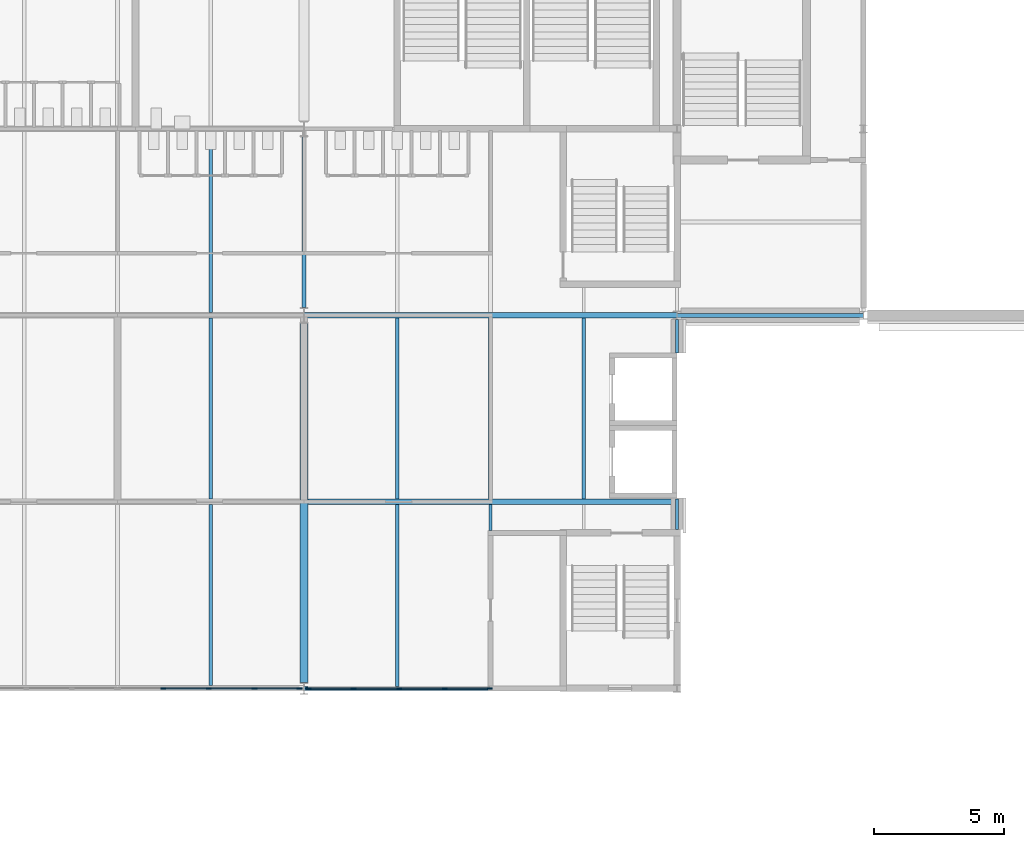
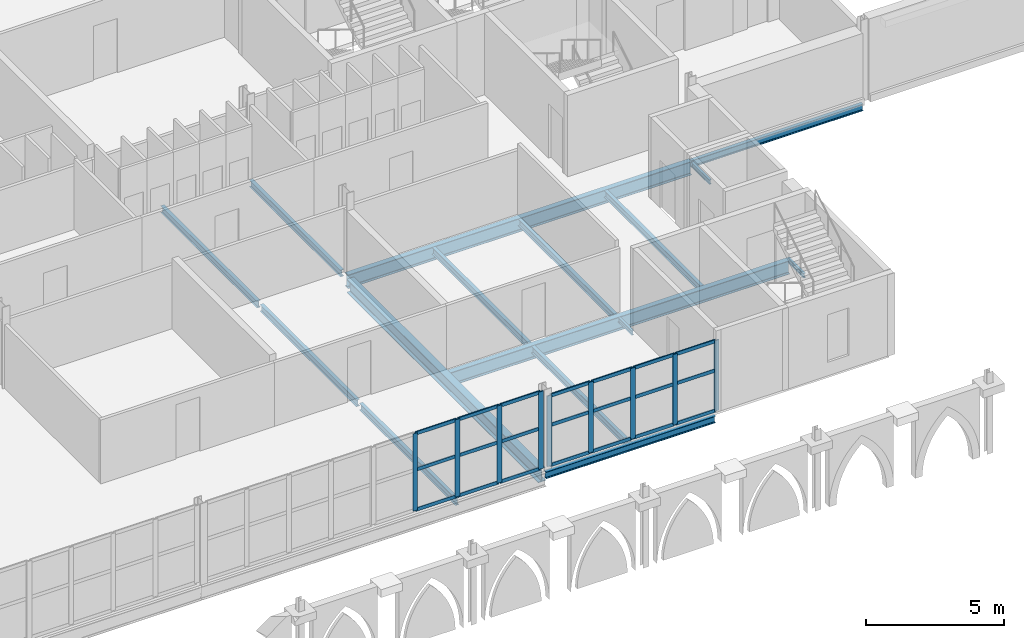
# One storey, part 31 of 90: 30 members, 16 beams, 2 elements without a shape of their own.
"""IFC4 building model written with IfcOpenShell, lengths in metres."""

from ifc_helpers import new_model, si_unit, direction, frame, origin, origin_2d, place, context, subcontext, project, spatial, rectangle, i_section, extrude, material, material_profile, profile_set, type_object, element, aggregate, save


model = new_model("IFC4")

# Units and contexts
model_context = context("Model", 3, precision=1e-05, world=origin(), true_north=direction((0.0, 1.0)))
body_context = subcontext(model_context, "Body", "Model", "MODEL_VIEW")
ifc_project = project(units=[si_unit("LENGTHUNIT", "METRE"), si_unit("AREAUNIT", "SQUARE_METRE"), si_unit("VOLUMEUNIT", "CUBIC_METRE"), si_unit("PLANEANGLEUNIT", "RADIAN"), si_unit("MASSUNIT", "GRAM", prefix="KILO")], contexts=[model_context])

# Site, building, storey
site_placement = place(None, origin())
site = spatial("IfcSite", under=ifc_project, at=site_placement, CompositionType="ELEMENT")
building_placement = place(site_placement, origin())
building = spatial("IfcBuilding", under=site, at=building_placement, Name="Kupolbacken Congress Centre", CompositionType="ELEMENT")
storey_placement = place(building_placement, frame((0.0, 0.0, 3.60009765625)))
storey = spatial("IfcBuildingStorey", under=building, at=storey_placement, Name="L01", CompositionType="ELEMENT", Elevation=3.60009765625)

# Beams
ifc_material_1 = material(Name="Steel S355", Category="steel")
ifc_material_profile_1 = material_profile(ifc_material_1, i_section(OverallWidth=0.10009765625, OverallDepth=0.199951171875, WebThickness=0.005615234375, FlangeThickness=0.008544921875, FilletRadius=0.011962890625, at=origin_2d()), Name="IPE 200")
ifc_profile_set_1 = profile_set([ifc_material_profile_1], Name="Steel S355")
beam_type_1 = type_object("IfcBeamType", Name="B01 beam IPE 200", PredefinedType="BEAM", material=ifc_profile_set_1)
beam_1_placement = place(storey_placement, frame((79.199951171875, 34.925048828125, -0.280029296875), z_axis=(0.0, 1.0, 0.0), x_axis=(-1.0, 0.0, 0.0)))
element("IfcBeam", 1, at=beam_1_placement, inside=storey, type_object=beam_type_1, Name="S/floor/F/L01/G012", PredefinedType="BEAM", context=body_context, shape_type="SweptSolid", body=[
    extrude(i_section(OverallWidth=0.10009765625, OverallDepth=0.199951171875, WebThickness=0.005615234375, FlangeThickness=0.008544921875, FilletRadius=0.011962890625, at=origin_2d()), origin(), (0.0, 0.0, 1.0), 1.184814453125),
])
beam_2_placement = place(storey_placement, frame((79.199951171875, 41.75, -0.280029296875), z_axis=(0.0, 1.0, 0.0), x_axis=(-1.0, 0.0, 0.0)))
element("IfcBeam", 2, at=beam_2_placement, inside=storey, type_object=beam_type_1, Name="S/floor/F/L01/G013", PredefinedType="BEAM", context=body_context, shape_type="SweptSolid", body=[
    extrude(i_section(OverallWidth=0.10009765625, OverallDepth=0.199951171875, WebThickness=0.005615234375, FlangeThickness=0.008544921875, FilletRadius=0.011962890625, at=origin_2d()), origin(), (0.0, 0.0, 1.0), 1.300048828125),
])
beam_3_placement = place(storey_placement, frame((72.0, 34.89990234375, -0.280029296875), z_axis=(0.0, 1.0, 0.0), x_axis=(-1.0, 0.0, 0.0)))
element("IfcBeam", 3, at=beam_3_placement, inside=storey, type_object=beam_type_1, Name="S/floor/F/L01/S078", PredefinedType="BEAM", context=body_context, shape_type="SweptSolid", body=[
    extrude(i_section(OverallWidth=0.10009765625, OverallDepth=0.199951171875, WebThickness=0.005615234375, FlangeThickness=0.008544921875, FilletRadius=0.011962890625, at=origin_2d()), origin(), (0.0, 0.0, 1.0), 0.989990234375),
])
ifc_material_2 = material(Name="Steel S355", Category="steel")
ifc_material_profile_2 = material_profile(ifc_material_2, i_section(OverallWidth=0.14990234375, OverallDepth=0.300048828125, WebThickness=0.007080078125, FlangeThickness=0.0107421875, FilletRadius=0.014892578125, at=origin_2d()), Name="IPE 300")
ifc_profile_set_2 = profile_set([ifc_material_profile_2], Name="Steel S355")
beam_type_2 = type_object("IfcBeamType", Name="B04 beam IPE 300", PredefinedType="BEAM", material=ifc_profile_set_2)
beam_4_placement = place(storey_placement, frame((64.800048828125, 43.5, -0.330078125), z_axis=(0.0, 1.0, 0.0), x_axis=(-1.0, 0.0, 0.0)))
element("IfcBeam", 4, at=beam_4_placement, inside=storey, type_object=beam_type_2, Name="S/floor/F/L01/G011", PredefinedType="BEAM", context=body_context, shape_type="SweptSolid", body=[
    extrude(i_section(OverallWidth=0.14990234375, OverallDepth=0.300048828125, WebThickness=0.007080078125, FlangeThickness=0.0107421875, FilletRadius=0.014892578125, at=origin_2d()), origin(), (0.0, 0.0, 1.0), 6.60009765625),
])
beam_5_placement = place(storey_placement, frame((64.806884765625, 28.800048828125, -0.330078125), z_axis=(1.0, 0.0, 0.0), x_axis=(0.0, 1.0, 0.0)))
element("IfcBeam", 5, at=beam_5_placement, inside=storey, type_object=beam_type_2, Name="S/floor/F/L01/R019", PredefinedType="BEAM", context=body_context, shape_type="SweptSolid", body=[
    extrude(i_section(OverallWidth=0.14990234375, OverallDepth=0.300048828125, WebThickness=0.007080078125, FlangeThickness=0.0107421875, FilletRadius=0.014892578125, at=origin_2d()), origin(), (0.0, 0.0, 1.0), 7.093017578125),
])
for number, where, z_axis, x_axis, name in (
    (6, (61.199951171875, 28.909912109375, -0.330078125), (0.0, 1.0, 0.0), (-1.0, 0.0, 0.0), "S/floor/F/L01/S072"),
    (7, (61.199951171875, 36.110107421875, -0.330078125), (0.0, 1.0, 0.0), (-1.0, 0.0, 0.0), "S/floor/F/L01/S073"),
    (8, (61.199951171875, 43.31005859375, -0.330078125), (0.0, 1.0, 0.0), (-1.0, 0.0, 0.0), "S/floor/F/L01/S074"),
):
    element("IfcBeam", number, at=place(storey_placement, frame(where, z_axis=z_axis, x_axis=x_axis)), inside=storey, type_object=beam_type_2, Name=name, PredefinedType="BEAM", context=body_context, shape_type="SweptSolid", body=[
        extrude(i_section(OverallWidth=0.14990234375, OverallDepth=0.300048828125, WebThickness=0.007080078125, FlangeThickness=0.0107421875, FilletRadius=0.014892578125, at=origin_2d()), origin(), (0.0, 0.0, 1.0), 6.97998046875),
    ])
beam_6_placement = place(storey_placement, frame((68.39990234375, 28.875, -0.330078125), z_axis=(0.0, 1.0, 0.0), x_axis=(-1.0, 0.0, 0.0)))
element("IfcBeam", 9, at=beam_6_placement, inside=storey, type_object=beam_type_2, Name="S/floor/F/L01/S075", PredefinedType="BEAM", context=body_context, shape_type="SweptSolid", body=[
    extrude(i_section(OverallWidth=0.14990234375, OverallDepth=0.300048828125, WebThickness=0.007080078125, FlangeThickness=0.0107421875, FilletRadius=0.014892578125, at=origin_2d()), origin(), (0.0, 0.0, 1.0), 7.014892578125),
])
for number, where, z_axis, x_axis, name in (
    (10, (68.39990234375, 36.110107421875, -0.330078125), (0.0, 1.0, 0.0), (-1.0, 0.0, 0.0), "S/floor/F/L01/S076"),
    (11, (72.0, 36.110107421875, -0.330078125), (0.0, 1.0, 0.0), (-1.0, 0.0, 0.0), "S/floor/F/L01/S079"),
    (12, (75.60009765625, 36.110107421875, -0.330078125), (0.0, 1.0, 0.0), (-1.0, 0.0, 0.0), "S/floor/F/L01/S082"),
):
    element("IfcBeam", number, at=place(storey_placement, frame(where, z_axis=z_axis, x_axis=x_axis)), inside=storey, type_object=beam_type_2, Name=name, PredefinedType="BEAM", context=body_context, shape_type="SweptSolid", body=[
        extrude(i_section(OverallWidth=0.14990234375, OverallDepth=0.300048828125, WebThickness=0.007080078125, FlangeThickness=0.0107421875, FilletRadius=0.014892578125, at=origin_2d()), origin(), (0.0, 0.0, 1.0), 6.97998046875),
    ])
beam_7_placement = place(storey_placement, frame((79.20556640625, 43.199951171875, -0.330078125), z_axis=(1.0, 0.0, 0.0), x_axis=(0.0, 1.0, 0.0)))
element("IfcBeam", 13, at=beam_7_placement, inside=storey, type_object=beam_type_2, Name="S/floor/LINK/L01/R010", PredefinedType="BEAM", context=body_context, shape_type="SweptSolid", body=[
    extrude(i_section(OverallWidth=0.14990234375, OverallDepth=0.300048828125, WebThickness=0.007080078125, FlangeThickness=0.0107421875, FilletRadius=0.014892578125, at=origin_2d()), origin(), (0.0, 0.0, 1.0), 7.190185546875),
])
ifc_material_3 = material(Name="Steel S355", Category="steel")
ifc_material_profile_3 = material_profile(ifc_material_3, i_section(OverallWidth=0.219970703125, OverallDepth=0.60009765625, WebThickness=0.011962890625, FlangeThickness=0.01904296875, FilletRadius=0.02392578125, at=origin_2d()), Name="IPE 600")
ifc_profile_set_3 = profile_set([ifc_material_profile_3], Name="Steel S355")
beam_type_3 = type_object("IfcBeamType", Name="B11 beam IPE 600", PredefinedType="BEAM", material=ifc_profile_set_3)
beam_8_placement = place(storey_placement, frame((64.807861328125, 43.199951171875, -0.47998046875), z_axis=(1.0, 0.0, 0.0), x_axis=(0.0, 1.0, 0.0)))
element("IfcBeam", 14, at=beam_8_placement, inside=storey, type_object=beam_type_3, Name="S/floor/F/L01/R024", PredefinedType="BEAM", context=body_context, shape_type="SweptSolid", body=[
    extrude(i_section(OverallWidth=0.219970703125, OverallDepth=0.60009765625, WebThickness=0.011962890625, FlangeThickness=0.01904296875, FilletRadius=0.02392578125, at=origin_2d()), origin(), (0.0, 0.0, 1.0), 14.38671875),
])
beam_9_placement = place(storey_placement, frame((64.949951171875, 36.0, -0.47998046875), z_axis=(1.0, 0.0, 0.0), x_axis=(0.0, 1.0, 0.0)))
element("IfcBeam", 15, at=beam_9_placement, inside=storey, type_object=beam_type_3, Name="S/floor/F/L01/R039", PredefinedType="BEAM", context=body_context, shape_type="SweptSolid", body=[
    extrude(i_section(OverallWidth=0.219970703125, OverallDepth=0.60009765625, WebThickness=0.011962890625, FlangeThickness=0.01904296875, FilletRadius=0.02392578125, at=origin_2d()), origin(), (0.0, 0.0, 1.0), 14.199951171875),
])
ifc_material_4 = material(Name="Steel S355", Category="steel")
ifc_material_profile_4 = material_profile(ifc_material_4, i_section(OverallWidth=0.300048828125, OverallDepth=0.60009765625, WebThickness=0.015380859375, FlangeThickness=0.030029296875, FilletRadius=0.027099609375, at=origin_2d()), Name="HEB 600")
ifc_profile_set_4 = profile_set([ifc_material_profile_4], Name="Steel S355")
beam_type_4 = type_object("IfcBeamType", Name="B15 beam HEB 600", PredefinedType="BEAM", material=ifc_profile_set_4)
beam_10_placement = place(storey_placement, frame((64.800048828125, 29.02490234375, -0.47998046875), z_axis=(0.0, 1.0, 0.0), x_axis=(-1.0, 0.0, 0.0)))
element("IfcBeam", 16, at=beam_10_placement, inside=storey, type_object=beam_type_4, Name="S/floor/F/L01/G010", PredefinedType="BEAM", context=body_context, shape_type="SweptSolid", body=[
    extrude(i_section(OverallWidth=0.300048828125, OverallDepth=0.60009765625, WebThickness=0.015380859375, FlangeThickness=0.030029296875, FilletRadius=0.027099609375, at=origin_2d()), origin(), (0.0, 0.0, 1.0), 13.875),
])

# Curtain wall, members
ifc_material_5 = material(Name="Aluminium mullion-transom frame with glass", Category="aluminium")
curtain_wall_type = type_object("IfcCurtainWallType", Name="CW1 curtain wall 7200x3600", PredefinedType="NOTDEFINED", material=ifc_material_5)
curtain_wall_1_placement = place(storey_placement, origin())
curtain_wall_1 = element("IfcCurtainWall", 17, at=curtain_wall_1_placement, inside=storey, type_object=curtain_wall_type, Name="E/F/S/L01/143", PredefinedType="NOTDEFINED")
ifc_material_6 = material(Name="Aluminium alloy", Category="aluminium")
ifc_material_profile_5 = material_profile(ifc_material_6, rectangle(XDim=0.050048828125, YDim=0.199951171875, at=origin_2d()), Name="50 x 200")
ifc_profile_set_5 = profile_set([ifc_material_profile_5], Name="Aluminium alloy")
member_type_1 = type_object("IfcMemberType", Name="MU2 mullion 50x200", PredefinedType="MULLION", material=ifc_profile_set_5)
member_1_placement = place(storey_placement, frame((59.362548828125, 28.800048828125, 0.0), z_axis=(0.0, 0.0, 1.0), x_axis=(0.0, 1.0, 0.0)))
member_1 = element("IfcMember", 18, at=member_1_placement, type_object=member_type_1, Name="CW1 mullion 2", PredefinedType="MULLION", context=body_context, shape_type="SweptSolid", body=[
    extrude(rectangle(XDim=0.050048828125, YDim=0.199951171875, at=origin_2d()), origin(), (0.0, 0.0, 1.0), 3.419921875),
])
member_2_placement = place(storey_placement, frame((61.125, 28.800048828125, 0.0), z_axis=(0.0, 0.0, 1.0), x_axis=(0.0, 1.0, 0.0)))
member_2 = element("IfcMember", 19, at=member_2_placement, type_object=member_type_1, Name="CW1 mullion 3", PredefinedType="MULLION", context=body_context, shape_type="SweptSolid", body=[
    extrude(rectangle(XDim=0.050048828125, YDim=0.199951171875, at=origin_2d()), origin(), (0.0, 0.0, 1.0), 3.419921875),
])
member_3_placement = place(storey_placement, frame((62.887451171875, 28.800048828125, 0.0), z_axis=(0.0, 0.0, 1.0), x_axis=(0.0, 1.0, 0.0)))
member_3 = element("IfcMember", 20, at=member_3_placement, type_object=member_type_1, Name="CW1 mullion 4", PredefinedType="MULLION", context=body_context, shape_type="SweptSolid", body=[
    extrude(rectangle(XDim=0.050048828125, YDim=0.199951171875, at=origin_2d()), origin(), (0.0, 0.0, 1.0), 3.419921875),
])
member_4_placement = place(storey_placement, frame((64.625, 28.800048828125, 0.0), z_axis=(0.0, 0.0, 1.0), x_axis=(0.0, 1.0, 0.0)))
member_4 = element("IfcMember", 21, at=member_4_placement, type_object=member_type_1, Name="CW1 mullion 5", PredefinedType="MULLION", context=body_context, shape_type="SweptSolid", body=[
    extrude(rectangle(XDim=0.050048828125, YDim=0.199951171875, at=origin_2d()), origin(), (0.0, 0.0, 1.0), 3.419921875),
])

curtain_wall_2_placement = place(storey_placement, origin())
curtain_wall_2 = element("IfcCurtainWall", 22, at=curtain_wall_2_placement, inside=storey, type_object=curtain_wall_type, Name="E/F/S/L01/144", PredefinedType="NOTDEFINED")
member_5_placement = place(storey_placement, frame((64.97509765625, 28.800048828125, 0.0), z_axis=(0.0, 0.0, 1.0), x_axis=(0.0, 1.0, 0.0)))
member_5 = element("IfcMember", 23, at=member_5_placement, type_object=member_type_1, Name="CW1 mullion 1", PredefinedType="MULLION", context=body_context, shape_type="SweptSolid", body=[
    extrude(rectangle(XDim=0.050048828125, YDim=0.199951171875, at=origin_2d()), origin(), (0.0, 0.0, 1.0), 3.119873046875),
])
member_6_placement = place(storey_placement, frame((66.71240234375, 28.800048828125, 0.0), z_axis=(0.0, 0.0, 1.0), x_axis=(0.0, 1.0, 0.0)))
member_6 = element("IfcMember", 24, at=member_6_placement, type_object=member_type_1, Name="CW1 mullion 2", PredefinedType="MULLION", context=body_context, shape_type="SweptSolid", body=[
    extrude(rectangle(XDim=0.050048828125, YDim=0.199951171875, at=origin_2d()), origin(), (0.0, 0.0, 1.0), 3.119873046875),
])
member_7_placement = place(storey_placement, frame((68.47509765625, 28.800048828125, 0.0), z_axis=(0.0, 0.0, 1.0), x_axis=(0.0, 1.0, 0.0)))
member_7 = element("IfcMember", 25, at=member_7_placement, type_object=member_type_1, Name="CW1 mullion 3", PredefinedType="MULLION", context=body_context, shape_type="SweptSolid", body=[
    extrude(rectangle(XDim=0.050048828125, YDim=0.199951171875, at=origin_2d()), origin(), (0.0, 0.0, 1.0), 3.119873046875),
])
member_8_placement = place(storey_placement, frame((70.237548828125, 28.800048828125, 0.0), z_axis=(0.0, 0.0, 1.0), x_axis=(0.0, 1.0, 0.0)))
member_8 = element("IfcMember", 26, at=member_8_placement, type_object=member_type_1, Name="CW1 mullion 4", PredefinedType="MULLION", context=body_context, shape_type="SweptSolid", body=[
    extrude(rectangle(XDim=0.050048828125, YDim=0.199951171875, at=origin_2d()), origin(), (0.0, 0.0, 1.0), 3.119873046875),
])
member_9_placement = place(storey_placement, frame((71.97509765625, 28.800048828125, 0.0), z_axis=(0.0, 0.0, 1.0), x_axis=(0.0, 1.0, 0.0)))
member_9 = element("IfcMember", 27, at=member_9_placement, type_object=member_type_1, Name="CW1 mullion 5", PredefinedType="MULLION", context=body_context, shape_type="SweptSolid", body=[
    extrude(rectangle(XDim=0.050048828125, YDim=0.199951171875, at=origin_2d()), origin(), (0.0, 0.0, 1.0), 3.119873046875),
])

# Member
ifc_material_7 = material(Name="Aluminium alloy", Category="aluminium")
ifc_material_profile_6 = material_profile(ifc_material_7, rectangle(XDim=0.050048828125, YDim=0.14990234375, at=origin_2d()), Name="50 x 150")
ifc_profile_set_6 = profile_set([ifc_material_profile_6], Name="Aluminium alloy")
member_type_2 = type_object("IfcMemberType", Name="TR2 transom 50x150", PredefinedType="MULLION", material=ifc_profile_set_6)
member_10_placement = place(storey_placement, frame((59.387451171875, 28.800048828125, 0.02490234375), z_axis=(1.0, 0.0, 0.0), x_axis=(0.0, 1.0, 0.0)))
member_10 = element("IfcMember", 28, at=member_10_placement, type_object=member_type_2, Name="CW1 transom 2.1", PredefinedType="MULLION", context=body_context, shape_type="SweptSolid", body=[
    extrude(rectangle(XDim=0.050048828125, YDim=0.14990234375, at=origin_2d()), origin(), (0.0, 0.0, 1.0), 1.712646484375),
])

member_11_placement = place(storey_placement, frame((59.387451171875, 28.800048828125, 1.7998046875), z_axis=(1.0, 0.0, 0.0), x_axis=(0.0, 1.0, 0.0)))
member_11 = element("IfcMember", 29, at=member_11_placement, type_object=member_type_2, Name="CW1 transom 2.2", PredefinedType="MULLION", context=body_context, shape_type="SweptSolid", body=[
    extrude(rectangle(XDim=0.050048828125, YDim=0.14990234375, at=origin_2d()), origin(), (0.0, 0.0, 1.0), 1.712646484375),
])

member_12_placement = place(storey_placement, frame((59.387451171875, 28.800048828125, 3.39501953125), z_axis=(1.0, 0.0, 0.0), x_axis=(0.0, 1.0, 0.0)))
member_12 = element("IfcMember", 30, at=member_12_placement, type_object=member_type_2, Name="CW1 transom 2.3", PredefinedType="MULLION", context=body_context, shape_type="SweptSolid", body=[
    extrude(rectangle(XDim=0.050048828125, YDim=0.14990234375, at=origin_2d()), origin(), (0.0, 0.0, 1.0), 1.712646484375),
])

member_13_placement = place(storey_placement, frame((61.14990234375, 28.800048828125, 0.02490234375), z_axis=(1.0, 0.0, 0.0), x_axis=(0.0, 1.0, 0.0)))
member_13 = element("IfcMember", 31, at=member_13_placement, type_object=member_type_2, Name="CW1 transom 3.1", PredefinedType="MULLION", context=body_context, shape_type="SweptSolid", body=[
    extrude(rectangle(XDim=0.050048828125, YDim=0.14990234375, at=origin_2d()), origin(), (0.0, 0.0, 1.0), 1.712646484375),
])

member_14_placement = place(storey_placement, frame((61.14990234375, 28.800048828125, 1.7998046875), z_axis=(1.0, 0.0, 0.0), x_axis=(0.0, 1.0, 0.0)))
member_14 = element("IfcMember", 32, at=member_14_placement, type_object=member_type_2, Name="CW1 transom 3.2", PredefinedType="MULLION", context=body_context, shape_type="SweptSolid", body=[
    extrude(rectangle(XDim=0.050048828125, YDim=0.14990234375, at=origin_2d()), origin(), (0.0, 0.0, 1.0), 1.712646484375),
])

member_15_placement = place(storey_placement, frame((61.14990234375, 28.800048828125, 3.39501953125), z_axis=(1.0, 0.0, 0.0), x_axis=(0.0, 1.0, 0.0)))
member_15 = element("IfcMember", 33, at=member_15_placement, type_object=member_type_2, Name="CW1 transom 3.3", PredefinedType="MULLION", context=body_context, shape_type="SweptSolid", body=[
    extrude(rectangle(XDim=0.050048828125, YDim=0.14990234375, at=origin_2d()), origin(), (0.0, 0.0, 1.0), 1.712646484375),
])

member_16_placement = place(storey_placement, frame((62.91259765625, 28.800048828125, 0.02490234375), z_axis=(1.0, 0.0, 0.0), x_axis=(0.0, 1.0, 0.0)))
member_16 = element("IfcMember", 34, at=member_16_placement, type_object=member_type_2, Name="CW1 transom 4.1", PredefinedType="MULLION", context=body_context, shape_type="SweptSolid", body=[
    extrude(rectangle(XDim=0.050048828125, YDim=0.14990234375, at=origin_2d()), origin(), (0.0, 0.0, 1.0), 1.6875),
])

member_17_placement = place(storey_placement, frame((62.91259765625, 28.800048828125, 1.7998046875), z_axis=(1.0, 0.0, 0.0), x_axis=(0.0, 1.0, 0.0)))
member_17 = element("IfcMember", 35, at=member_17_placement, type_object=member_type_2, Name="CW1 transom 4.2", PredefinedType="MULLION", context=body_context, shape_type="SweptSolid", body=[
    extrude(rectangle(XDim=0.050048828125, YDim=0.14990234375, at=origin_2d()), origin(), (0.0, 0.0, 1.0), 1.6875),
])

member_18_placement = place(storey_placement, frame((62.91259765625, 28.800048828125, 3.39501953125), z_axis=(1.0, 0.0, 0.0), x_axis=(0.0, 1.0, 0.0)))
member_18 = element("IfcMember", 36, at=member_18_placement, type_object=member_type_2, Name="CW1 transom 4.3", PredefinedType="MULLION", context=body_context, shape_type="SweptSolid", body=[
    extrude(rectangle(XDim=0.050048828125, YDim=0.14990234375, at=origin_2d()), origin(), (0.0, 0.0, 1.0), 1.6875),
])

aggregate(curtain_wall_1, [member_1, member_2, member_3, member_4, member_10, member_11, member_12, member_13, member_14, member_15, member_16, member_17, member_18])

member_19_placement = place(storey_placement, frame((65.0, 28.800048828125, 0.02490234375), z_axis=(1.0, 0.0, 0.0), x_axis=(0.0, 1.0, 0.0)))
member_19 = element("IfcMember", 37, at=member_19_placement, type_object=member_type_2, Name="CW1 transom 1.1", PredefinedType="MULLION", context=body_context, shape_type="SweptSolid", body=[
    extrude(rectangle(XDim=0.050048828125, YDim=0.14990234375, at=origin_2d()), origin(), (0.0, 0.0, 1.0), 1.6875),
])

member_20_placement = place(storey_placement, frame((65.0, 28.800048828125, 1.7998046875), z_axis=(1.0, 0.0, 0.0), x_axis=(0.0, 1.0, 0.0)))
member_20 = element("IfcMember", 38, at=member_20_placement, type_object=member_type_2, Name="CW1 transom 1.2", PredefinedType="MULLION", context=body_context, shape_type="SweptSolid", body=[
    extrude(rectangle(XDim=0.050048828125, YDim=0.14990234375, at=origin_2d()), origin(), (0.0, 0.0, 1.0), 1.6875),
])

member_21_placement = place(storey_placement, frame((65.0, 28.800048828125, 3.094970703125), z_axis=(1.0, 0.0, 0.0), x_axis=(0.0, 1.0, 0.0)))
member_21 = element("IfcMember", 39, at=member_21_placement, type_object=member_type_2, Name="CW1 transom 1.3", PredefinedType="MULLION", context=body_context, shape_type="SweptSolid", body=[
    extrude(rectangle(XDim=0.050048828125, YDim=0.14990234375, at=origin_2d()), origin(), (0.0, 0.0, 1.0), 1.6875),
])

member_22_placement = place(storey_placement, frame((66.737548828125, 28.800048828125, 0.02490234375), z_axis=(1.0, 0.0, 0.0), x_axis=(0.0, 1.0, 0.0)))
member_22 = element("IfcMember", 40, at=member_22_placement, type_object=member_type_2, Name="CW1 transom 2.1", PredefinedType="MULLION", context=body_context, shape_type="SweptSolid", body=[
    extrude(rectangle(XDim=0.050048828125, YDim=0.14990234375, at=origin_2d()), origin(), (0.0, 0.0, 1.0), 1.71240234375),
])

member_23_placement = place(storey_placement, frame((66.737548828125, 28.800048828125, 1.7998046875), z_axis=(1.0, 0.0, 0.0), x_axis=(0.0, 1.0, 0.0)))
member_23 = element("IfcMember", 41, at=member_23_placement, type_object=member_type_2, Name="CW1 transom 2.2", PredefinedType="MULLION", context=body_context, shape_type="SweptSolid", body=[
    extrude(rectangle(XDim=0.050048828125, YDim=0.14990234375, at=origin_2d()), origin(), (0.0, 0.0, 1.0), 1.71240234375),
])

member_24_placement = place(storey_placement, frame((66.737548828125, 28.800048828125, 3.094970703125), z_axis=(1.0, 0.0, 0.0), x_axis=(0.0, 1.0, 0.0)))
member_24 = element("IfcMember", 42, at=member_24_placement, type_object=member_type_2, Name="CW1 transom 2.3", PredefinedType="MULLION", context=body_context, shape_type="SweptSolid", body=[
    extrude(rectangle(XDim=0.050048828125, YDim=0.14990234375, at=origin_2d()), origin(), (0.0, 0.0, 1.0), 1.71240234375),
])

member_25_placement = place(storey_placement, frame((68.5, 28.800048828125, 0.02490234375), z_axis=(1.0, 0.0, 0.0), x_axis=(0.0, 1.0, 0.0)))
member_25 = element("IfcMember", 43, at=member_25_placement, type_object=member_type_2, Name="CW1 transom 3.1", PredefinedType="MULLION", context=body_context, shape_type="SweptSolid", body=[
    extrude(rectangle(XDim=0.050048828125, YDim=0.14990234375, at=origin_2d()), origin(), (0.0, 0.0, 1.0), 1.71240234375),
])

member_26_placement = place(storey_placement, frame((68.5, 28.800048828125, 1.7998046875), z_axis=(1.0, 0.0, 0.0), x_axis=(0.0, 1.0, 0.0)))
member_26 = element("IfcMember", 44, at=member_26_placement, type_object=member_type_2, Name="CW1 transom 3.2", PredefinedType="MULLION", context=body_context, shape_type="SweptSolid", body=[
    extrude(rectangle(XDim=0.050048828125, YDim=0.14990234375, at=origin_2d()), origin(), (0.0, 0.0, 1.0), 1.71240234375),
])

member_27_placement = place(storey_placement, frame((68.5, 28.800048828125, 3.094970703125), z_axis=(1.0, 0.0, 0.0), x_axis=(0.0, 1.0, 0.0)))
member_27 = element("IfcMember", 45, at=member_27_placement, type_object=member_type_2, Name="CW1 transom 3.3", PredefinedType="MULLION", context=body_context, shape_type="SweptSolid", body=[
    extrude(rectangle(XDim=0.050048828125, YDim=0.14990234375, at=origin_2d()), origin(), (0.0, 0.0, 1.0), 1.71240234375),
])

member_28_placement = place(storey_placement, frame((70.262451171875, 28.800048828125, 0.02490234375), z_axis=(1.0, 0.0, 0.0), x_axis=(0.0, 1.0, 0.0)))
member_28 = element("IfcMember", 46, at=member_28_placement, type_object=member_type_2, Name="CW1 transom 4.1", PredefinedType="MULLION", context=body_context, shape_type="SweptSolid", body=[
    extrude(rectangle(XDim=0.050048828125, YDim=0.14990234375, at=origin_2d()), origin(), (0.0, 0.0, 1.0), 1.6875),
])

member_29_placement = place(storey_placement, frame((70.262451171875, 28.800048828125, 1.7998046875), z_axis=(1.0, 0.0, 0.0), x_axis=(0.0, 1.0, 0.0)))
member_29 = element("IfcMember", 47, at=member_29_placement, type_object=member_type_2, Name="CW1 transom 4.2", PredefinedType="MULLION", context=body_context, shape_type="SweptSolid", body=[
    extrude(rectangle(XDim=0.050048828125, YDim=0.14990234375, at=origin_2d()), origin(), (0.0, 0.0, 1.0), 1.6875),
])

member_30_placement = place(storey_placement, frame((70.262451171875, 28.800048828125, 3.094970703125), z_axis=(1.0, 0.0, 0.0), x_axis=(0.0, 1.0, 0.0)))
member_30 = element("IfcMember", 48, at=member_30_placement, type_object=member_type_2, Name="CW1 transom 4.3", PredefinedType="MULLION", context=body_context, shape_type="SweptSolid", body=[
    extrude(rectangle(XDim=0.050048828125, YDim=0.14990234375, at=origin_2d()), origin(), (0.0, 0.0, 1.0), 1.6875),
])

aggregate(curtain_wall_2, [member_5, member_6, member_7, member_8, member_9, member_19, member_20, member_21, member_22, member_23, member_24, member_25, member_26, member_27, member_28, member_29, member_30])

save(model, "model.ifc")
